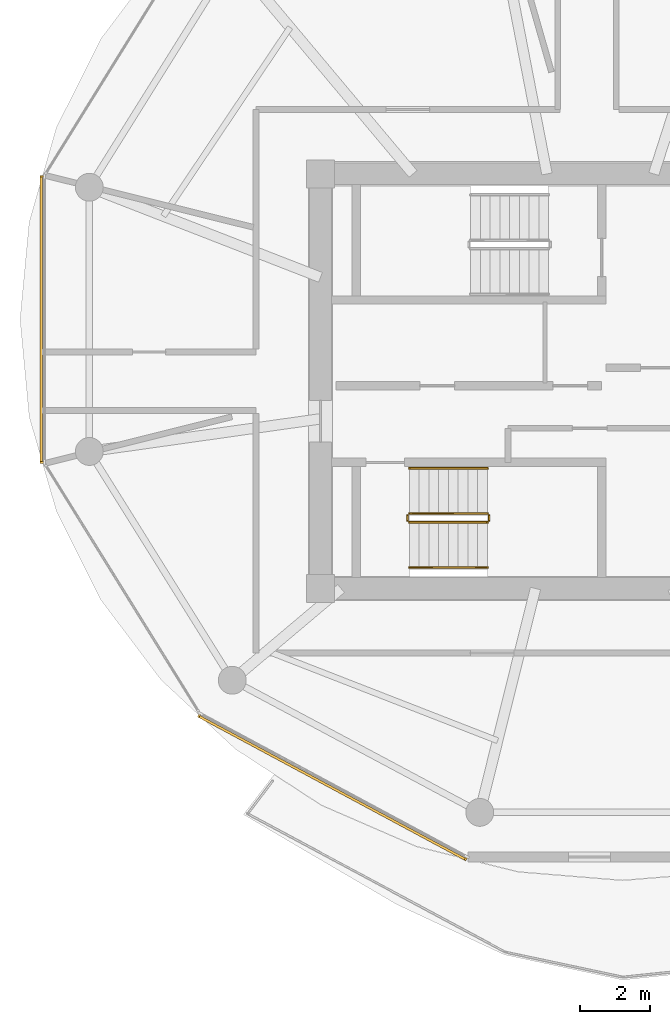
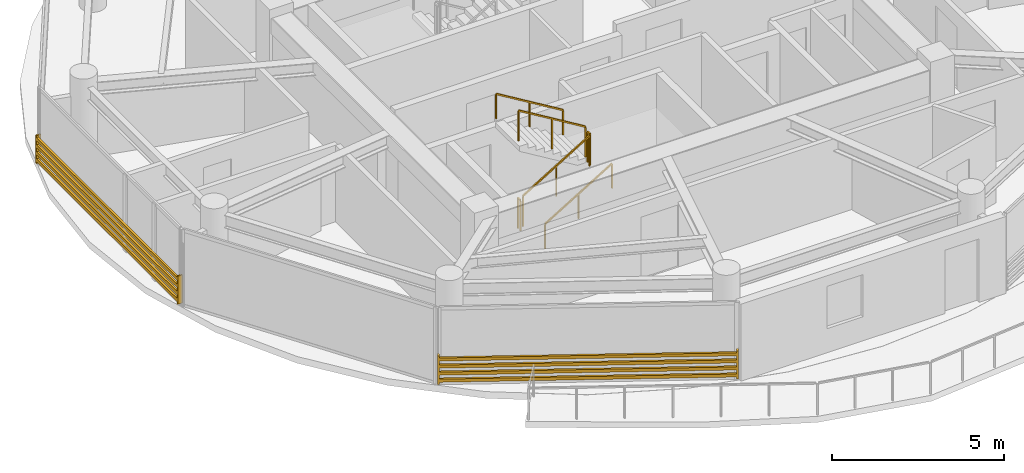
# One storey, part 18 of 22: 6 railings, 2 shading devices.
"""IFC4 building model written with IfcOpenShell, lengths in metres."""

import ifcopenshell
import ifcopenshell.guid

model = None  # the IFC model being written
_history = None  # IfcOwnerHistory: only IFC2X3 demands one
_inside = {}  # id of a spatial element -> (the spatial element, [elements in it])
_under = {}  # id of a project, library or spatial element -> (it, [spatial elements below it])
_declared = {}  # id of a project -> (the project, [libraries it declares])
_typed = {}  # id of a type object -> (the type object, [elements of that type])
_made_of = {}  # id of a material, layer set ... -> (it, [elements and type objects made of it])


def new_model(schema):
    """Start an empty IFC model of exactly this schema.

    Asked for "IFC4X3", IfcOpenShell would pick the latest addendum, in which some entities
    have other attributes; the version numbers below select the first issue.
    IFC2X3 requires an IfcOwnerHistory on every rooted entity: one is made here for all.
    """
    global model, _history
    if schema == "IFC4X3":
        model = ifcopenshell.file(schema_version=(4, 3, 0, 0))
    else:
        model = ifcopenshell.file(schema=schema)
    _inside.clear()
    _under.clear()
    _declared.clear()
    _typed.clear()
    _made_of.clear()
    _history = None
    if model.schema == "IFC2X3":
        org = make("IfcOrganization", Name="unknown")
        user = make(
            "IfcPersonAndOrganization",
            ThePerson=make("IfcPerson", FamilyName="unknown"),
            TheOrganization=org,
        )
        app = make(
            "IfcApplication",
            ApplicationDeveloper=org,
            Version="unknown",
            ApplicationFullName="unknown",
            ApplicationIdentifier="unknown",
        )
        _history = make(
            "IfcOwnerHistory",
            OwningUser=user,
            OwningApplication=app,
            ChangeAction="ADDED",
            CreationDate=0,
        )
    return model


def make(cls, **values):
    """One entity of the class cls with the attributes given. An attribute that is None is left unset."""
    return model.create_entity(
        cls, **{name: value for name, value in values.items() if value is not None}
    )


def rooted(cls, **values):
    """An entity with a GlobalId (a new one), such as an element, a storey or a relation."""
    return make(cls, GlobalId=ifcopenshell.guid.new(), OwnerHistory=_history, **values)


def si_unit(unit_type, name, prefix=None):
    """IfcSIUnit, for example si_unit("LENGTHUNIT", "METRE", prefix="MILLI")."""
    return make("IfcSIUnit", UnitType=unit_type, Prefix=prefix, Name=name)


def assignment(units):
    """IfcUnitAssignment: the units of a project."""
    return None if units is None else make("IfcUnitAssignment", Units=units)


def point(xyz):
    """IfcCartesianPoint."""
    return None if xyz is None else make("IfcCartesianPoint", Coordinates=xyz)


def direction(xyz):
    """IfcDirection."""
    return None if xyz is None else make("IfcDirection", DirectionRatios=xyz)


def frame(location, z_axis=None, x_axis=None):
    """IfcAxis2Placement3D, a coordinate frame: its origin and axes. An axis left out is left unset."""
    return make(
        "IfcAxis2Placement3D",
        Location=point(location),
        Axis=direction(z_axis),
        RefDirection=direction(x_axis),
    )


def frame_2d(location, x_axis=None):
    """IfcAxis2Placement2D, a coordinate frame in the plane: its origin and x axis."""
    return make(
        "IfcAxis2Placement2D", Location=point(location), RefDirection=direction(x_axis)
    )


def origin():
    """The frame at (0, 0, 0) with its axes left unset."""
    return frame((0.0, 0.0, 0.0))


def origin_2d():
    """The frame at (0, 0) in the plane with its x axis left unset."""
    return frame_2d((0.0, 0.0))


def place(relative_to, where):
    """IfcLocalPlacement: puts the frame where relative to a parent placement (None: the world)."""
    return make(
        "IfcLocalPlacement", PlacementRelTo=relative_to, RelativePlacement=where
    )


def context(
    kind, dimensions, precision=None, world=None, true_north=None, identifier=None
):
    """IfcGeometricRepresentationContext, for example the 3D "Model" context."""
    return make(
        "IfcGeometricRepresentationContext",
        ContextIdentifier=identifier,
        ContextType=kind,
        CoordinateSpaceDimension=dimensions,
        Precision=precision,
        WorldCoordinateSystem=world,
        TrueNorth=true_north,
    )


def subcontext(parent, identifier, kind, view, scale=None):
    """IfcGeometricRepresentationSubContext, for example "Body" below "Model"."""
    return make(
        "IfcGeometricRepresentationSubContext",
        ContextIdentifier=identifier,
        ContextType=kind,
        ParentContext=parent,
        TargetScale=scale,
        TargetView=view,
    )


def project(units=None, contexts=None):
    """IfcProject with its units and contexts."""
    return rooted(
        "IfcProject",
        Name="project",
        RepresentationContexts=contexts,
        UnitsInContext=assignment(units),
    )


def spatial(cls, under=None, at=None, **own):
    """A site, building, storey or space (cls), placed at a placement, below another one or the project."""
    s = rooted(cls, ObjectPlacement=at, **own)
    if under is not None:
        _under.setdefault(under.id(), (under, []))[1].append(s)
    return s


def profile(cls, at=None, kind="AREA", **sizes):
    """A parametric profile (cls). Its sizes go by their IFC names, for example OverallWidth=200.0."""
    return make(cls, ProfileType=kind, Position=at, **sizes)


def rectangle(**sizes):
    """IfcRectangleProfileDef."""
    return profile("IfcRectangleProfileDef", **sizes)


def extrude(swept, where, along, depth):
    """IfcExtrudedAreaSolid: the profile swept, set in the frame where, extruded along a direction by depth."""
    return make(
        "IfcExtrudedAreaSolid",
        SweptArea=swept,
        Position=where,
        ExtrudedDirection=direction(along),
        Depth=depth,
    )


def shape(context_of_items, identifier, shape_type, items):
    """IfcShapeRepresentation: the items that make up one representation, for example the "Body"."""
    return make(
        "IfcShapeRepresentation",
        ContextOfItems=context_of_items,
        RepresentationIdentifier=identifier,
        RepresentationType=shape_type,
        Items=items,
    )


def source(mapping_origin, context_of_items, identifier, shape_type, items):
    """IfcRepresentationMap: a shape defined once, which mapped items show again and again."""
    return make(
        "IfcRepresentationMap",
        MappingOrigin=mapping_origin,
        MappedRepresentation=shape(context_of_items, identifier, shape_type, items),
    )


def transform(
    local_origin,
    x_axis=None,
    y_axis=None,
    z_axis=None,
    scale=None,
    scale2=None,
    scale3=None,
    uniform=True,
):
    """IfcCartesianTransformationOperator3D, or its non-uniform kind. x_axis, y_axis, z_axis: its Axis1, 2, 3."""
    if uniform:
        return make(
            "IfcCartesianTransformationOperator3D",
            Axis1=direction(x_axis),
            Axis2=direction(y_axis),
            LocalOrigin=point(local_origin),
            Scale=scale,
            Axis3=direction(z_axis),
        )
    return make(
        "IfcCartesianTransformationOperator3DnonUniform",
        Axis1=direction(x_axis),
        Axis2=direction(y_axis),
        LocalOrigin=point(local_origin),
        Scale=scale,
        Axis3=direction(z_axis),
        Scale2=scale2,
        Scale3=scale3,
    )


def mapped(mapping_source, mapping_target):
    """IfcMappedItem: shows the shape of a source again, moved by a transform."""
    return make(
        "IfcMappedItem", MappingSource=mapping_source, MappingTarget=mapping_target
    )


def material(Name=None, Category=None):
    """IfcMaterial."""
    return make("IfcMaterial", Name=Name, Category=Category)


def made_of(thing, what):
    """Note that an element or type object is made of a material, layer set ...; save() writes the relation."""
    if what is not None:
        _made_of.setdefault(what.id(), (what, []))[1].append(thing)
    return thing


def type_object(cls, material=None, **own):
    """A type object (cls), such as IfcWallType, which elements share."""
    return made_of(rooted(cls, **own), material)


def type_shapes(of_type, sources):
    """Give a type object the sources (RepresentationMaps) that its elements show as mapped items."""
    of_type.RepresentationMaps = sources


def element(
    cls,
    number,
    at=None,
    inside=None,
    cuts=None,
    type_object=None,
    material=None,
    context=None,
    identifier="Body",
    shape_type=None,
    held_by="IfcProductDefinitionShape",
    body=None,
    shapes=None,
    **own,
):
    """One element of the class cls, such as IfcWall. Its Tag is "e" and its number.

    at: its placement. inside: the storey or other place that contains it. cuts: it is an
    opening in that element (IfcRelVoidsElement). A single representation is given by context,
    identifier, shape_type and body (its items); several are given by shapes. held_by: the class
    of the entity that holds the representations. save() writes the other relations.
    """
    e = rooted(cls, Tag="e%d" % number, ObjectPlacement=at, **own)
    if body is not None:
        shapes = [shape(context, identifier, shape_type, body)]
    if shapes is not None:
        e.Representation = make(held_by, Representations=shapes)
    if inside is not None:
        _inside.setdefault(inside.id(), (inside, []))[1].append(e)
    if cuts is not None:
        rooted(
            "IfcRelVoidsElement", RelatingBuildingElement=cuts, RelatedOpeningElement=e
        )
    if type_object is not None:
        _typed.setdefault(type_object.id(), (type_object, []))[1].append(e)
    return made_of(e, material)


def aggregate(whole, parts):
    """IfcRelAggregates: a whole, such as a stair, and the parts it consists of."""
    return rooted("IfcRelAggregates", RelatingObject=whole, RelatedObjects=parts)


def save(model, path):
    """Write the relations noted so far, then the file.

    IfcRelAggregates (storeys below a building ...), IfcRelContainedInSpatialStructure (elements
    in a storey), IfcRelDefinesByType, IfcRelAssociatesMaterial and IfcRelDeclares: one each for
    every whole, place, type object, material and project.
    """
    for whole, parts in _under.values():
        aggregate(whole, parts)
    for where, things in _inside.values():
        rooted(
            "IfcRelContainedInSpatialStructure",
            RelatedElements=things,
            RelatingStructure=where,
        )
    for kind, things in _typed.values():
        rooted("IfcRelDefinesByType", RelatedObjects=things, RelatingType=kind)
    for what, things in _made_of.values():
        rooted("IfcRelAssociatesMaterial", RelatedObjects=things, RelatingMaterial=what)
    for by, libraries in _declared.values():
        rooted("IfcRelDeclares", RelatingContext=by, RelatedDefinitions=libraries)
    model.write(path)


model = new_model("IFC4")

# Units and contexts
model_context = context("Model", 3, precision=1e-05, world=origin(), true_north=direction((0.0, 1.0)))
body_context = subcontext(model_context, "Body", "Model", "MODEL_VIEW")
ifc_project = project(units=[si_unit("LENGTHUNIT", "METRE"), si_unit("AREAUNIT", "SQUARE_METRE"), si_unit("VOLUMEUNIT", "CUBIC_METRE"), si_unit("PLANEANGLEUNIT", "RADIAN"), si_unit("MASSUNIT", "GRAM", prefix="KILO")], contexts=[model_context])

# Site, building, storey
site_placement = place(None, origin())
site = spatial("IfcSite", under=ifc_project, at=site_placement, CompositionType="ELEMENT")
building_placement = place(site_placement, origin())
building = spatial("IfcBuilding", under=site, at=building_placement, Name="Norrkilde Senior Care Towers", CompositionType="ELEMENT")
storey_placement = place(building_placement, frame((0.0, 0.0, 183.10009765625)))
storey = spatial("IfcBuildingStorey", under=building, at=storey_placement, Name="L57", CompositionType="ELEMENT", Elevation=183.10009765625)

# Railings
ifc_material_1 = material(Name="Stainless Steel", Category="steel")
railing_type_1 = type_object("IfcRailingType", Name="Stair and Terrace Guardrail 1100", PredefinedType="GUARDRAIL", material=ifc_material_1)
railing_1_placement = place(storey_placement, frame((-33.10009765625, -4.050048828125, 0.16943359375)))
element("IfcRailing", 1, at=railing_1_placement, inside=storey, type_object=railing_type_1, Name="L57 ST-W2 stair guard 1", PredefinedType="GUARDRAIL", context=body_context, shape_type="SweptSolid", body=[
    extrude(rectangle(XDim=0.048095703125, YDim=0.048095703125, at=origin_2d()), frame((0.0, 0.0, 1.076171875), z_axis=(0.855553338991, 0.0, 0.51771467445), x_axis=(0.0, 1.0, 0.0)), (0.0, 0.0, 1.0), 2.6181640625),
    extrude(rectangle(XDim=0.0419921875, YDim=0.0419921875, at=origin_2d()), origin(), (0.0, 0.0, 1.0), 1.050048828125),
    extrude(rectangle(XDim=0.0419921875, YDim=0.0419921875, at=origin_2d()), frame((1.1201171875, 0.0, 0.677734375)), (0.0, 0.0, 1.0), 1.050048828125),
    extrude(rectangle(XDim=0.0419921875, YDim=0.0419921875, at=origin_2d()), frame((2.239990234375, 0.0, 1.35546875)), (0.0, 0.0, 1.0), 1.050048828125),
])
railing_2_placement = place(storey_placement, frame((-30.81005859375, -4.0, 1.52490234375)))
element("IfcRailing", 2, at=railing_2_placement, inside=storey, type_object=railing_type_1, Name="L57 ST-W2 stair guard 2", PredefinedType="GUARDRAIL", context=body_context, shape_type="SweptSolid", body=[
    extrude(rectangle(XDim=0.048095703125, YDim=0.048095703125, at=origin_2d()), frame((0.0, 0.0, 1.076171875), z_axis=(0.0, 1.0, 0.0), x_axis=(-1.0, 0.0, 0.0)), (0.0, 0.0, 1.0), 0.14990234375),
    extrude(rectangle(XDim=0.0419921875, YDim=0.0419921875, at=origin_2d()), origin(), (0.0, 0.0, 1.0), 1.050048828125),
    extrude(rectangle(XDim=0.0419921875, YDim=0.0419921875, at=origin_2d()), frame((0.0, 0.14990234375, 0.0)), (0.0, 0.0, 1.0), 1.050048828125),
])
railing_3_placement = place(storey_placement, frame((-30.860107421875, -3.800048828125, 1.6943359375)))
element("IfcRailing", 3, at=railing_3_placement, inside=storey, type_object=railing_type_1, Name="L57 ST-W2 stair guard 3", PredefinedType="GUARDRAIL", context=body_context, shape_type="SweptSolid", body=[
    extrude(rectangle(XDim=0.048095703125, YDim=0.048095703125, at=origin_2d()), frame((0.0, 0.0, 1.076171875), z_axis=(-0.855553338991, 0.0, 0.51771467445), x_axis=(0.0, -1.0, 0.0)), (0.0, 0.0, 1.0), 2.6181640625),
    extrude(rectangle(XDim=0.0419921875, YDim=0.0419921875, at=origin_2d()), origin(), (0.0, 0.0, 1.0), 1.050048828125),
    extrude(rectangle(XDim=0.0419921875, YDim=0.0419921875, at=origin_2d()), frame((-1.1201171875, 0.0, 0.677734375)), (0.0, 0.0, 1.0), 1.050048828125),
    extrude(rectangle(XDim=0.0419921875, YDim=0.0419921875, at=origin_2d()), frame((-2.239990234375, 0.0, 1.35546875)), (0.0, 0.0, 1.0), 1.050048828125),
])
railing_4_placement = place(storey_placement, frame((-33.14990234375, -4.0, 0.0)))
element("IfcRailing", 4, at=railing_4_placement, inside=storey, type_object=railing_type_1, Name="L57 ST-W2 stair guard 4", PredefinedType="GUARDRAIL", context=body_context, shape_type="SweptSolid", body=[
    extrude(rectangle(XDim=0.048095703125, YDim=0.048095703125, at=origin_2d()), frame((0.0, 0.0, 1.076171875), z_axis=(0.0, 1.0, 0.0), x_axis=(-1.0, 0.0, 0.0)), (0.0, 0.0, 1.0), 0.14990234375),
    extrude(rectangle(XDim=0.0419921875, YDim=0.0419921875, at=origin_2d()), origin(), (0.0, 0.0, 1.0), 1.050048828125),
    extrude(rectangle(XDim=0.0419921875, YDim=0.0419921875, at=origin_2d()), frame((0.0, 0.14990234375, 0.0)), (0.0, 0.0, 1.0), 1.050048828125),
])
ifc_material_2 = material(Name="Nordic Ash Timber", Category="wood")
railing_type_2 = type_object("IfcRailingType", Name="Wall and Stair Handrail 900", PredefinedType="HANDRAIL", material=ifc_material_2)
railing_5_placement = place(storey_placement, frame((-33.10009765625, -5.35009765625, 0.16943359375)))
element("IfcRailing", 5, at=railing_5_placement, inside=storey, type_object=railing_type_2, Name="L57 ST-W2 stair handrail 1", PredefinedType="HANDRAIL", context=body_context, shape_type="SweptSolid", body=[
    extrude(rectangle(XDim=0.048095703125, YDim=0.048095703125, at=origin_2d()), frame((0.0, 0.0, 0.8759765625), z_axis=(0.855553338991, 0.0, 0.51771467445), x_axis=(0.0, 1.0, 0.0)), (0.0, 0.0, 1.0), 2.6181640625),
    extrude(rectangle(XDim=0.0419921875, YDim=0.0419921875, at=origin_2d()), origin(), (0.0, 0.0, 1.0), 0.849853515625),
    extrude(rectangle(XDim=0.0419921875, YDim=0.0419921875, at=origin_2d()), frame((1.1201171875, 0.0, 0.677734375)), (0.0, 0.0, 1.0), 0.849853515625),
    extrude(rectangle(XDim=0.0419921875, YDim=0.0419921875, at=origin_2d()), frame((2.239990234375, 0.0, 1.35546875)), (0.0, 0.0, 1.0), 0.849853515625),
])
railing_6_placement = place(storey_placement, frame((-30.860107421875, -2.5, 1.6943359375)))
element("IfcRailing", 6, at=railing_6_placement, inside=storey, type_object=railing_type_2, Name="L57 ST-W2 stair handrail 2", PredefinedType="HANDRAIL", context=body_context, shape_type="SweptSolid", body=[
    extrude(rectangle(XDim=0.048095703125, YDim=0.048095703125, at=origin_2d()), frame((0.0, 0.0, 0.8759765625), z_axis=(-0.855553338991, 0.0, 0.51771467445), x_axis=(0.0, -1.0, 0.0)), (0.0, 0.0, 1.0), 2.6181640625),
    extrude(rectangle(XDim=0.0419921875, YDim=0.0419921875, at=origin_2d()), origin(), (0.0, 0.0, 1.0), 0.849853515625),
    extrude(rectangle(XDim=0.0419921875, YDim=0.0419921875, at=origin_2d()), frame((-1.1201171875, 0.0, 0.677734375)), (0.0, 0.0, 1.0), 0.849853515625),
    extrude(rectangle(XDim=0.0419921875, YDim=0.0419921875, at=origin_2d()), frame((-2.239990234375, 0.0, 1.35546875)), (0.0, 0.0, 1.0), 0.849853515625),
])

# Shading devices
ifc_material_3 = material(Name="Architectural Terracotta", Category="masonry")
shading_device_type = type_object("IfcShadingDeviceType", Name="Horizontal Terracotta Baguette Rack", PredefinedType="USERDEFINED", material=ifc_material_3)
shared_shape_1 = source(origin(), body_context, "Body", "SweptSolid", [
    extrude(rectangle(XDim=0.070068359375, YDim=0.110107421875, at=origin_2d()), frame((0.0, 0.090087890625, 0.125), z_axis=(1.0, 0.0, 0.0), x_axis=(0.0, 1.0, 0.0)), (0.0, 0.0, 1.0), 8.74169921875),
    extrude(rectangle(XDim=0.070068359375, YDim=0.110107421875, at=origin_2d()), frame((0.0, 0.090087890625, 0.375), z_axis=(1.0, 0.0, 0.0), x_axis=(0.0, 1.0, 0.0)), (0.0, 0.0, 1.0), 8.74169921875),
    extrude(rectangle(XDim=0.070068359375, YDim=0.110107421875, at=origin_2d()), frame((0.0, 0.090087890625, 0.625), z_axis=(1.0, 0.0, 0.0), x_axis=(0.0, 1.0, 0.0)), (0.0, 0.0, 1.0), 8.74169921875),
    extrude(rectangle(XDim=0.070068359375, YDim=0.110107421875, at=origin_2d()), frame((0.0, 0.090087890625, 0.875), z_axis=(1.0, 0.0, 0.0), x_axis=(0.0, 1.0, 0.0)), (0.0, 0.0, 1.0), 8.74169921875),
    extrude(rectangle(XDim=0.050048828125, YDim=0.1552734375, at=origin_2d()), frame((0.02490234375, 0.047607421875, 0.0)), (0.0, 0.0, 1.0), 1.0),
    extrude(rectangle(XDim=0.050048828125, YDim=0.1552734375, at=origin_2d()), frame((8.716796875, 0.047607421875, 0.0)), (0.0, 0.0, 1.0), 1.0),
])
shading_device_1_placement = place(storey_placement, frame((-31.421630859375, -13.66015625, 0.079833984375), z_axis=(0.0, 0.0, 1.0), x_axis=(-0.880997598168, 0.47313299447, 0.0)))
element("IfcShadingDevice", 7, at=shading_device_1_placement, inside=storey, type_object=shading_device_type, Name="L57 Drum W Terracotta Baguette Screen 07", ObjectType="BAGUETTE", PredefinedType="USERDEFINED", context=body_context, shape_type="MappedRepresentation", body=[
    mapped(shared_shape_1, transform((0.0, 0.0, 0.0), x_axis=(1.0, 0.0, 0.0), y_axis=(0.0, 1.0, 0.0), z_axis=(0.0, 0.0, 1.0), scale=1.0)),
])
shared_shape_2 = source(origin(), body_context, "Body", "SweptSolid", [
    extrude(rectangle(XDim=0.070068359375, YDim=0.110107421875, at=origin_2d()), frame((0.0, 0.090087890625, 0.125), z_axis=(1.0, 0.0, 0.0), x_axis=(0.0, 1.0, 0.0)), (0.0, 0.0, 1.0), 8.27197265625),
    extrude(rectangle(XDim=0.070068359375, YDim=0.110107421875, at=origin_2d()), frame((0.0, 0.090087890625, 0.375), z_axis=(1.0, 0.0, 0.0), x_axis=(0.0, 1.0, 0.0)), (0.0, 0.0, 1.0), 8.27197265625),
    extrude(rectangle(XDim=0.070068359375, YDim=0.110107421875, at=origin_2d()), frame((0.0, 0.090087890625, 0.625), z_axis=(1.0, 0.0, 0.0), x_axis=(0.0, 1.0, 0.0)), (0.0, 0.0, 1.0), 8.27197265625),
    extrude(rectangle(XDim=0.070068359375, YDim=0.110107421875, at=origin_2d()), frame((0.0, 0.090087890625, 0.875), z_axis=(1.0, 0.0, 0.0), x_axis=(0.0, 1.0, 0.0)), (0.0, 0.0, 1.0), 8.27197265625),
    extrude(rectangle(XDim=0.050048828125, YDim=0.1552734375, at=origin_2d()), frame((0.02490234375, 0.047607421875, 0.0)), (0.0, 0.0, 1.0), 1.0),
    extrude(rectangle(XDim=0.050048828125, YDim=0.1552734375, at=origin_2d()), frame((8.2470703125, 0.047607421875, 0.0)), (0.0, 0.0, 1.0), 1.0),
])
type_shapes(shading_device_type, [shared_shape_1, shared_shape_2])
shading_device_2_placement = place(storey_placement, frame((-43.569580078125, -2.360595703125, 0.079833984375), z_axis=(0.0, 0.0, 1.0), x_axis=(0.0, 1.0, 0.0)))
element("IfcShadingDevice", 8, at=shading_device_2_placement, inside=storey, type_object=shading_device_type, Name="L57 Drum W Terracotta Baguette Screen 05", ObjectType="BAGUETTE", PredefinedType="USERDEFINED", context=body_context, shape_type="MappedRepresentation", body=[
    mapped(shared_shape_2, transform((0.0, 0.0, 0.0), x_axis=(1.0, 0.0, 0.0), y_axis=(0.0, 1.0, 0.0), z_axis=(0.0, 0.0, 1.0), scale=1.0)),
])

save(model, "model.ifc")
